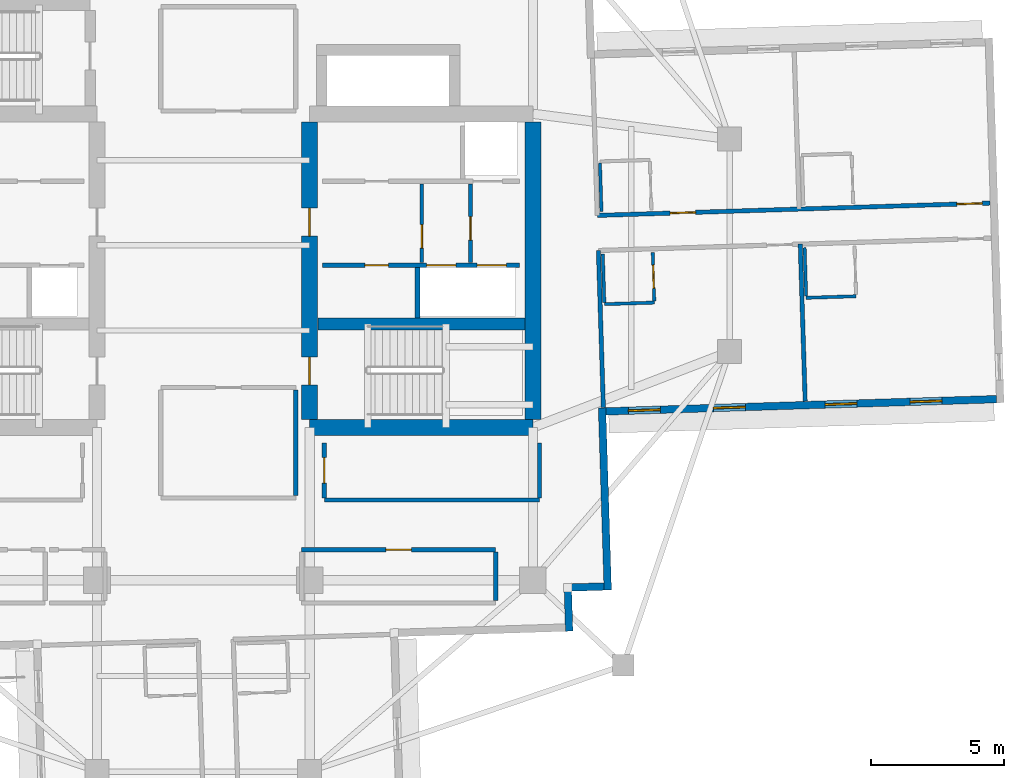
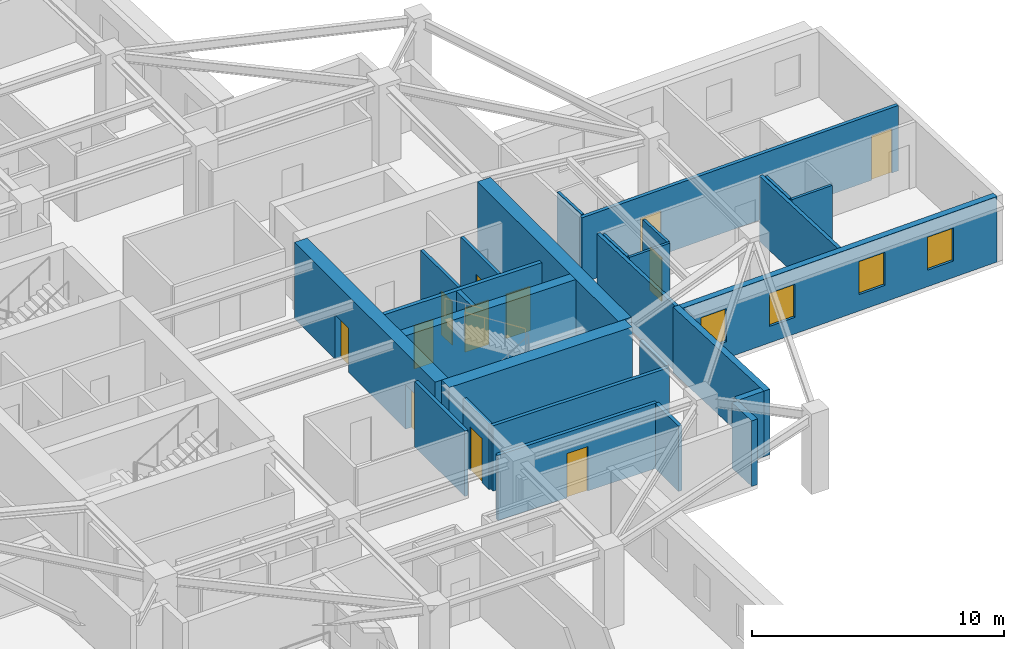
# One storey, part 5 of 12: 27 walls, 12 doors, 4 windows, 16 openings.
"""IFC4 building model written with IfcOpenShell, lengths in metres."""

from ifc_helpers import new_model, si_unit, direction, frame, frame_2d, origin, place, context, subcontext, project, spatial, rectangle, extrude, material, layer, layer_set, type_object, element, fill, save


model = new_model("IFC4")

# Units and contexts
model_context = context("Model", 3, precision=1e-05, world=origin(), true_north=direction((0.0, 1.0)))
body_context = subcontext(model_context, "Body", "Model", "MODEL_VIEW")
ifc_project = project(units=[si_unit("LENGTHUNIT", "METRE"), si_unit("AREAUNIT", "SQUARE_METRE"), si_unit("VOLUMEUNIT", "CUBIC_METRE"), si_unit("PLANEANGLEUNIT", "RADIAN"), si_unit("MASSUNIT", "GRAM", prefix="KILO")], contexts=[model_context])

# Site, building, storey
site_placement = place(None, origin())
site = spatial("IfcSite", under=ifc_project, at=site_placement, CompositionType="ELEMENT")
building_placement = place(site_placement, origin())
building = spatial("IfcBuilding", under=site, at=building_placement, Name="Qingluan Cross Belvedere", CompositionType="ELEMENT")
storey_placement = place(building_placement, frame((0.0, 0.0, 216.89990234375)))
storey = spatial("IfcBuildingStorey", under=building, at=storey_placement, Name="L54", CompositionType="ELEMENT", Elevation=216.89990234375)

# Walls
ifc_material_1 = material(Name="Concrete C50", Category="concrete")
ifc_layer_1 = layer(ifc_material_1, 0.449951171875, Name="CoreShearWall_450")
ifc_layer_set_1 = layer_set([ifc_layer_1], Name="Concrete C50")
wall_type_1 = type_object("IfcWallType", Name="CoreShearWall_450", PredefinedType="SHEAR", material=ifc_layer_set_1)
wall_1_placement = place(storey_placement, frame((4.304931640625, -2.9599609375, 0.0), z_axis=(0.0, 0.0, 1.0), x_axis=(1.0, 0.0, 0.0)))
element("IfcWall", 1, at=wall_1_placement, inside=storey, type_object=wall_type_1, Name="Split core E shear wall L54-M", PredefinedType="SHEAR", context=body_context, shape_type="SweptSolid", body=[
    extrude(rectangle(XDim=7.7900390625, YDim=0.449951171875, at=frame_2d((3.89501953125, 0.0))), origin(), (0.0, 0.0, 1.0), 3.7001953125),
])
ifc_material_2 = material(Name="Concrete C60", Category="concrete")
ifc_layer_2 = layer(ifc_material_2, 0.60009765625, Name="CoreShearWall_600")
ifc_layer_set_2 = layer_set([ifc_layer_2], Name="Concrete C60")
wall_type_2 = type_object("IfcWallType", Name="CoreShearWall_600", PredefinedType="SHEAR", material=ifc_layer_set_2)
wall_2_placement = place(storey_placement, frame((4.0, -6.85009765625, 0.0), z_axis=(0.0, 0.0, 1.0), x_axis=(1.0, 0.0, 0.0)))
element("IfcWall", 2, at=wall_2_placement, inside=storey, type_object=wall_type_2, Name="Split core E shear wall L54-S", PredefinedType="SHEAR", context=body_context, shape_type="SweptSolid", body=[
    extrude(rectangle(XDim=8.39990234375, YDim=0.60009765625, at=frame_2d((4.199951171875, 0.0))), origin(), (0.0, 0.0, 1.0), 3.7001953125),
])

# Wall, openings, doors
wall_3_placement = place(storey_placement, frame((4.0, -6.544921875, 0.0), z_axis=(0.0, 0.0, 1.0), x_axis=(0.0, 1.0, 0.0)))
wall_3 = element("IfcWall", 3, at=wall_3_placement, inside=storey, type_object=wall_type_2, Name="Split core E shear wall L54-W", PredefinedType="SHEAR", context=body_context, shape_type="SweptSolid", body=[
    extrude(rectangle(XDim=11.18994140625, YDim=0.60009765625, at=frame_2d((5.594970703125, 0.0))), origin(), (0.0, 0.0, 1.0), 3.7001953125),
])
opening_1_placement = place(wall_3_placement, frame((1.294921875, 0.0, 0.0)))
opening_1 = element("IfcOpeningElement", 4, at=opening_1_placement, cuts=wall_3, Name="Opening FD-B11", PredefinedType="OPENING", context=body_context, shape_type="SweptSolid", body=[
    extrude(rectangle(XDim=1.050048828125, YDim=2.14990234375, at=frame_2d((0.52490234375, 1.074951171875))), frame((0.0, 0.31005859375, 0.0), z_axis=(0.0, -1.0, 0.0), x_axis=(1.0, 0.0, 0.0)), (0.0, 0.0, 1.0), 0.6201171875),
])
opening_2_placement = place(wall_3_placement, frame((6.89501953125, 0.0, 0.0)))
opening_2 = element("IfcOpeningElement", 5, at=opening_2_placement, cuts=wall_3, Name="Opening FD-B11", PredefinedType="OPENING", context=body_context, shape_type="SweptSolid", body=[
    extrude(rectangle(XDim=1.050048828125, YDim=2.14990234375, at=frame_2d((0.52490234375, 1.074951171875))), frame((0.0, 0.31005859375, 0.0), z_axis=(0.0, -1.0, 0.0), x_axis=(1.0, 0.0, 0.0)), (0.0, 0.0, 1.0), 0.6201171875),
])
ifc_material_3 = material(Name="Steel Class B smoke-seal fire door", Category="steel")
door_type_1 = type_object("IfcDoorType", Name="StairLobbyFireDoor_FDB", OperationType="NOTDEFINED", PredefinedType="DOOR", material=ifc_material_3)
door_1_placement = place(opening_1_placement, origin())
door_1 = element("IfcDoor", 6, at=door_1_placement, inside=storey, type_object=door_type_1, Name="Smoke-proof stair ST2 fire door L54", OperationType="SINGLE_SWING_LEFT", OverallHeight=2.14990234375, OverallWidth=1.050048828125, PredefinedType="DOOR", context=body_context, shape_type="SweptSolid", body=[
    extrude(rectangle(XDim=1.050048828125, YDim=2.14990234375, at=frame_2d((0.52490234375, 1.074951171875))), frame((0.0, 0.02490234375, 0.0), z_axis=(0.0, -1.0, 0.0), x_axis=(1.0, 0.0, 0.0)), (0.0, 0.0, 1.0), 0.050048828125),
])
fill(opening_1, door_1)
door_2_placement = place(opening_2_placement, origin())
door_2 = element("IfcDoor", 7, at=door_2_placement, inside=storey, type_object=door_type_1, Name="Firefighting lobby East fire door L54", OperationType="SINGLE_SWING_LEFT", OverallHeight=2.14990234375, OverallWidth=1.050048828125, PredefinedType="DOOR", context=body_context, shape_type="SweptSolid", body=[
    extrude(rectangle(XDim=1.050048828125, YDim=2.14990234375, at=frame_2d((0.52490234375, 1.074951171875))), frame((0.0, 0.02490234375, 0.0), z_axis=(0.0, -1.0, 0.0), x_axis=(1.0, 0.0, 0.0)), (0.0, 0.0, 1.0), 0.050048828125),
])
fill(opening_2, door_2)

# Wall
wall_4_placement = place(storey_placement, frame((12.39990234375, -6.544921875, 0.0), z_axis=(0.0, 0.0, 1.0), x_axis=(0.0, 1.0, 0.0)))
element("IfcWall", 8, at=wall_4_placement, inside=storey, type_object=wall_type_2, Name="Split core E shear wall L54-E", PredefinedType="SHEAR", context=body_context, shape_type="SweptSolid", body=[
    extrude(rectangle(XDim=11.18994140625, YDim=0.60009765625, at=frame_2d((5.594970703125, 0.0))), origin(), (0.0, 0.0, 1.0), 3.7001953125),
])

# Wall, opening, door
ifc_material_4 = material(Name="Gypsum plasterboard on steel stud acoustic partition", Category="steel")
ifc_layer_3 = layer(ifc_material_4, 0.159912109375, Name="CorridorPartition_160")
ifc_layer_set_3 = layer_set([ifc_layer_3], Name="Gypsum plasterboard on steel stud acoustic partition")
wall_type_3 = type_object("IfcWallType", Name="CorridorPartition_160", PredefinedType="PARTITIONING", material=ifc_layer_set_3)
wall_5_placement = place(storey_placement, frame((10.050048828125, -0.652099609375, 0.0), z_axis=(0.0, 0.0, 1.0), x_axis=(0.0, 1.0, 0.0)))
wall_5 = element("IfcWall", 9, at=wall_5_placement, inside=storey, type_object=wall_type_3, Name="Partition L54:ev", PredefinedType="PARTITIONING", context=body_context, shape_type="SweptSolid", body=[
    extrude(rectangle(XDim=2.962158203125, YDim=0.139892578125, at=frame_2d((1.48095703125, 0.0))), origin(), (0.0, 0.0, 1.0), 3.170166015625),
])
opening_3_placement = place(wall_5_placement, frame((0.85009765625, 0.0, 0.0)))
opening_3 = element("IfcOpeningElement", 10, at=opening_3_placement, cuts=wall_5, Name="Opening FD-B10", PredefinedType="OPENING", context=body_context, shape_type="SweptSolid", body=[
    extrude(rectangle(XDim=0.8798828125, YDim=2.10009765625, at=frame_2d((0.43994140625, 1.050048828125))), frame((0.0, 0.079833984375, 0.0), z_axis=(0.0, -1.0, 0.0), x_axis=(1.0, 0.0, 0.0)), (0.0, 0.0, 1.0), 0.159912109375),
])
ifc_material_5 = material(Name="Steel Class B service fire door", Category="steel")
door_type_2 = type_object("IfcDoorType", Name="RiserServiceFireDoor_FDB", OperationType="NOTDEFINED", PredefinedType="DOOR", material=ifc_material_5)
door_3_placement = place(opening_3_placement, origin())
door_3 = element("IfcDoor", 11, at=door_3_placement, inside=storey, type_object=door_type_2, Name="Service closet inner door L54", OperationType="SINGLE_SWING_RIGHT", OverallHeight=2.10009765625, OverallWidth=0.8798828125, PredefinedType="DOOR", context=body_context, shape_type="SweptSolid", body=[
    extrude(rectangle(XDim=0.8798828125, YDim=2.10009765625, at=frame_2d((0.43994140625, 1.050048828125))), frame((0.0, 0.02490234375, 0.0), z_axis=(0.0, -1.0, 0.0), x_axis=(1.0, 0.0, 0.0)), (0.0, 0.0, 1.0), 0.050048828125),
])
fill(opening_3, door_3)

wall_6_placement = place(storey_placement, frame((3.699951171875, -11.449951171875, 0.0), z_axis=(0.0, 0.0, 1.0), x_axis=(1.0, 0.0, 0.0)))
wall_6 = element("IfcWall", 12, at=wall_6_placement, inside=storey, type_object=wall_type_3, Name="Partition L54:q_se:N", PredefinedType="PARTITIONING", context=body_context, shape_type="SweptSolid", body=[
    extrude(rectangle(XDim=7.300048828125, YDim=0.159912109375, at=frame_2d((3.64990234375, 0.0))), origin(), (0.0, 0.0, 1.0), 3.170166015625),
])
opening_4_placement = place(wall_6_placement, frame((3.169921875, 0.0, 0.0)))
opening_4 = element("IfcOpeningElement", 13, at=opening_4_placement, cuts=wall_6, Name="Opening GD-10", PredefinedType="OPENING", context=body_context, shape_type="SweptSolid", body=[
    extrude(rectangle(XDim=0.9599609375, YDim=2.14990234375, at=frame_2d((0.47998046875, 1.074951171875))), frame((0.0, 0.08984375, 0.0), z_axis=(0.0, -1.0, 0.0), x_axis=(1.0, 0.0, 0.0)), (0.0, 0.0, 1.0), 0.179931640625),
])
ifc_material_6 = material(Name="Timber oak fire-rated acoustic guestroom door", Category="wood")
door_type_3 = type_object("IfcDoorType", Name="GuestEntryDoor_FD60", OperationType="NOTDEFINED", PredefinedType="DOOR", material=ifc_material_6)
door_4_placement = place(opening_4_placement, origin())
door_4 = element("IfcDoor", 14, at=door_4_placement, inside=storey, type_object=door_type_3, Name="Private butler office L54 door", OperationType="SINGLE_SWING_RIGHT", OverallHeight=2.14990234375, OverallWidth=0.9599609375, PredefinedType="DOOR", context=body_context, shape_type="SweptSolid", body=[
    extrude(rectangle(XDim=0.9599609375, YDim=2.14990234375, at=frame_2d((0.47998046875, 1.074951171875))), frame((0.0, 0.02490234375, 0.0), z_axis=(0.0, -1.0, 0.0), x_axis=(1.0, 0.0, 0.0)), (0.0, 0.0, 1.0), 0.050048828125),
])
fill(opening_4, door_4)

# Walls
wall_7_placement = place(storey_placement, frame((11.0, -13.364990234375, 0.0), z_axis=(0.0, 0.0, 1.0), x_axis=(0.0, 1.0, 0.0)))
element("IfcWall", 15, at=wall_7_placement, inside=storey, type_object=wall_type_3, Name="Partition L54:q_se:E", PredefinedType="PARTITIONING", context=body_context, shape_type="SweptSolid", body=[
    extrude(rectangle(XDim=1.830078125, YDim=0.159912109375, at=frame_2d((0.9150390625, 0.0))), origin(), (0.0, 0.0, 1.0), 3.170166015625),
])
wall_8_placement = place(storey_placement, frame((3.47998046875, -9.4150390625, 0.0), z_axis=(0.0, 0.0, 1.0), x_axis=(0.0, 1.0, 0.0)))
element("IfcWall", 16, at=wall_8_placement, inside=storey, type_object=wall_type_3, Name="Partition L54:sky_south_alcove:E", PredefinedType="PARTITIONING", context=body_context, shape_type="SweptSolid", body=[
    extrude(rectangle(XDim=3.97998046875, YDim=0.159912109375, at=frame_2d((1.989990234375, 0.0))), origin(), (0.0, 0.0, 1.0), 3.170166015625),
])
wall_9_placement = place(storey_placement, frame((4.550048828125, -9.580078125, 0.0), z_axis=(0.0, 0.0, 1.0), x_axis=(1.0, 0.0, 0.0)))
element("IfcWall", 17, at=wall_9_placement, inside=storey, type_object=wall_type_3, Name="Partition L54:rec_st4:S", PredefinedType="PARTITIONING", context=body_context, shape_type="SweptSolid", body=[
    extrude(rectangle(XDim=8.099853515625, YDim=0.159912109375, at=frame_2d((4.0498046875, 0.0))), origin(), (0.0, 0.0, 1.0), 3.170166015625),
])

# Wall, opening, door
wall_10_placement = place(storey_placement, frame((4.550048828125, -9.4951171875, 0.0), z_axis=(0.0, 0.0, 1.0), x_axis=(0.0, 1.0, 0.0)))
wall_10 = element("IfcWall", 18, at=wall_10_placement, inside=storey, type_object=wall_type_3, Name="Partition L54:rec_st4:W", PredefinedType="PARTITIONING", context=body_context, shape_type="SweptSolid", body=[
    extrude(rectangle(XDim=2.06005859375, YDim=0.159912109375, at=frame_2d((1.030029296875, 0.0))), origin(), (0.0, 0.0, 1.0), 3.170166015625),
])
opening_5_placement = place(wall_10_placement, frame((0.550048828125, 0.0, 0.0)))
opening_5 = element("IfcOpeningElement", 19, at=opening_5_placement, cuts=wall_10, Name="Opening GD-10", PredefinedType="OPENING", context=body_context, shape_type="SweptSolid", body=[
    extrude(rectangle(XDim=0.9599609375, YDim=2.14990234375, at=frame_2d((0.47998046875, 1.074951171875))), frame((0.0, 0.08984375, 0.0), z_axis=(0.0, -1.0, 0.0), x_axis=(1.0, 0.0, 0.0)), (0.0, 0.0, 1.0), 0.179931640625),
])
door_5_placement = place(opening_5_placement, origin())
door_5 = element("IfcDoor", 20, at=door_5_placement, inside=storey, type_object=door_type_3, Name="Southeast club library room L54 door", OperationType="SINGLE_SWING_RIGHT", OverallHeight=2.14990234375, OverallWidth=0.9599609375, PredefinedType="DOOR", context=body_context, shape_type="SweptSolid", body=[
    extrude(rectangle(XDim=0.9599609375, YDim=2.14990234375, at=frame_2d((0.47998046875, 1.074951171875))), frame((0.0, 0.02490234375, 0.0), z_axis=(0.0, -1.0, 0.0), x_axis=(1.0, 0.0, 0.0)), (0.0, 0.0, 1.0), 0.050048828125),
])
fill(opening_5, door_5)

# Wall
wall_11_placement = place(storey_placement, frame((12.64990234375, -9.4951171875, 0.0), z_axis=(0.0, 0.0, 1.0), x_axis=(0.0, 1.0, 0.0)))
element("IfcWall", 21, at=wall_11_placement, inside=storey, type_object=wall_type_3, Name="Partition L54:rec_st4:E", PredefinedType="PARTITIONING", context=body_context, shape_type="SweptSolid", body=[
    extrude(rectangle(XDim=2.06005859375, YDim=0.159912109375, at=frame_2d((1.030029296875, 0.0))), origin(), (0.0, 0.0, 1.0), 3.170166015625),
])

# Wall, openings, doors
wall_12_placement = place(storey_placement, frame((14.822021484375, 1.126220703125, 0.0), z_axis=(0.0, 0.0, 1.0), x_axis=(0.9995069872, 0.031397174061, 0.0)))
wall_12 = element("IfcWall", 22, at=wall_12_placement, inside=storey, type_object=wall_type_3, Name="Partition L54:E:c0", PredefinedType="PARTITIONING", context=body_context, shape_type="SweptSolid", body=[
    extrude(rectangle(XDim=14.781982421875, YDim=0.159912109375, at=frame_2d((7.39111328125, 0.0))), origin(), (0.0, 0.0, 1.0), 3.170166015625),
])
opening_6_placement = place(wall_12_placement, frame((2.739990234375, 0.0, 0.0)))
opening_6 = element("IfcOpeningElement", 23, at=opening_6_placement, cuts=wall_12, Name="Opening GD-10", PredefinedType="OPENING", context=body_context, shape_type="SweptSolid", body=[
    extrude(rectangle(XDim=0.9599609375, YDim=2.14990234375, at=frame_2d((0.47998046875, 1.074951171875))), frame((0.0, 0.08984375, 0.0), z_axis=(0.0, -1.0, 0.0), x_axis=(1.0, 0.0, 0.0)), (0.0, 0.0, 1.0), 0.179931640625),
])
opening_7_placement = place(wall_12_placement, frame((13.530029296875, 0.0, 0.0)))
opening_7 = element("IfcOpeningElement", 24, at=opening_7_placement, cuts=wall_12, Name="Opening GD-10", PredefinedType="OPENING", context=body_context, shape_type="SweptSolid", body=[
    extrude(rectangle(XDim=0.9599609375, YDim=2.14990234375, at=frame_2d((0.47998046875, 1.074951171875))), frame((0.0, 0.08984375, 0.0), z_axis=(0.0, -1.0, 0.0), x_axis=(1.0, 0.0, 0.0)), (0.0, 0.0, 1.0), 0.179931640625),
])
door_6_placement = place(opening_6_placement, origin())
door_6 = element("IfcDoor", 25, at=door_6_placement, inside=storey, type_object=door_type_3, Name="Guest entry fire door 5401", OperationType="SINGLE_SWING_RIGHT", OverallHeight=2.14990234375, OverallWidth=0.9599609375, PredefinedType="DOOR", context=body_context, shape_type="SweptSolid", body=[
    extrude(rectangle(XDim=0.9599609375, YDim=2.14990234375, at=frame_2d((0.47998046875, 1.074951171875))), frame((0.0, 0.02490234375, 0.0), z_axis=(0.0, -1.0, 0.0), x_axis=(1.0, 0.0, 0.0)), (0.0, 0.0, 1.0), 0.050048828125),
])
fill(opening_6, door_6)
door_7_placement = place(opening_7_placement, origin())
door_7 = element("IfcDoor", 26, at=door_7_placement, inside=storey, type_object=door_type_3, Name="Guest entry fire door 5402", OperationType="SINGLE_SWING_RIGHT", OverallHeight=2.14990234375, OverallWidth=0.9599609375, PredefinedType="DOOR", context=body_context, shape_type="SweptSolid", body=[
    extrude(rectangle(XDim=0.9599609375, YDim=2.14990234375, at=frame_2d((0.47998046875, 1.074951171875))), frame((0.0, 0.02490234375, 0.0), z_axis=(0.0, -1.0, 0.0), x_axis=(1.0, 0.0, 0.0)), (0.0, 0.0, 1.0), 0.050048828125),
])
fill(opening_7, door_7)

# Walls
for number, where, z_axis, x_axis, name in (
    (27, (14.86328125, -0.193115234375, 0.0), (0.0, 0.0, 1.0), (0.031466809435, -0.999504797339, 0.0), "Partition L54:E:s1"),
    (28, (22.455810546875, 0.04541015625, 0.0), (0.0, 0.0, 1.0), (0.03138430084, -0.999507391499, 0.0), "Partition L54:E:d1_0"),
):
    element("IfcWall", number, at=place(storey_placement, frame(where, z_axis=z_axis, x_axis=x_axis)), inside=storey, type_object=wall_type_3, Name=name, PredefinedType="PARTITIONING", context=body_context, shape_type="SweptSolid", body=[
        extrude(rectangle(XDim=5.912109375, YDim=0.159912109375, at=frame_2d((2.9560546875, 0.0))), origin(), (0.0, 0.0, 1.0), 3.170166015625),
    ])
ifc_material_7 = material(Name="Moisture-resistant gypsum board lining")
ifc_layer_4 = layer(ifc_material_7, 0.1201171875, Name="EnsuiteWetPartition_120")
ifc_layer_set_4 = layer_set([ifc_layer_4], Name="Moisture-resistant gypsum board lining")
wall_type_4 = type_object("IfcWallType", Name="EnsuiteWetPartition_120", PredefinedType="PARTITIONING", material=ifc_layer_set_4)
wall_13_placement = place(storey_placement, frame((14.9775390625, 1.27099609375, 0.0), z_axis=(0.0, 0.0, 1.0), x_axis=(-0.031389704724, 0.999507221803, 0.0)))
element("IfcWall", 29, at=wall_13_placement, inside=storey, type_object=wall_type_4, Name="Partition L54:E:bw0_0", PredefinedType="PARTITIONING", context=body_context, shape_type="SweptSolid", body=[
    extrude(rectangle(XDim=1.820068359375, YDim=0.1201171875, at=frame_2d((0.91015625, 0.0))), origin(), (0.0, 0.0, 1.0), 3.170166015625),
])

# Wall, opening, door
wall_14_placement = place(storey_placement, frame((16.964111328125, -2.088134765625, 0.0), z_axis=(0.0, 0.0, 1.0), x_axis=(-0.03152371574, 0.999503004171, 0.0)))
wall_14 = element("IfcWall", 30, at=wall_14_placement, inside=storey, type_object=wall_type_4, Name="Partition L54:E:bs1_0", PredefinedType="PARTITIONING", context=body_context, shape_type="SweptSolid", body=[
    extrude(rectangle(XDim=1.820068359375, YDim=0.1201171875, at=frame_2d((0.91015625, 0.0))), origin(), (0.0, 0.0, 1.0), 3.170166015625),
])
opening_8_placement = place(wall_14_placement, frame((0.469970703125, 0.0, 0.0)))
opening_8 = element("IfcOpeningElement", 31, at=opening_8_placement, cuts=wall_14, Name="Opening BD-09", PredefinedType="OPENING", context=body_context, shape_type="SweptSolid", body=[
    extrude(rectangle(XDim=0.8798828125, YDim=2.10009765625, at=frame_2d((0.43994140625, 1.050048828125))), frame((0.0, 0.070068359375, 0.0), z_axis=(0.0, -1.0, 0.0), x_axis=(1.0, 0.0, 0.0)), (0.0, 0.0, 1.0), 0.14013671875),
])
ifc_material_8 = material(Name="Moisture-sealed timber en-suite door", Category="wood")
door_type_4 = type_object("IfcDoorType", Name="BathroomDoor_880", OperationType="NOTDEFINED", PredefinedType="DOOR", material=ifc_material_8)
door_8_placement = place(opening_8_placement, origin())
door_8 = element("IfcDoor", 32, at=door_8_placement, inside=storey, type_object=door_type_4, Name="Bathroom door 5403", OperationType="SINGLE_SWING_LEFT", OverallHeight=2.10009765625, OverallWidth=0.8798828125, PredefinedType="DOOR", context=body_context, shape_type="SweptSolid", body=[
    extrude(rectangle(XDim=0.8798828125, YDim=2.10009765625, at=frame_2d((0.43994140625, 1.050048828125))), frame((0.0, 0.02490234375, 0.0), z_axis=(0.0, -1.0, 0.0), x_axis=(1.0, 0.0, 0.0)), (0.0, 0.0, 1.0), 0.050048828125),
])
fill(opening_8, door_8)

# Walls
wall_15_placement = place(storey_placement, frame((15.0849609375, -2.147216796875, 0.0), z_axis=(0.0, 0.0, 1.0), x_axis=(-0.03152371574, 0.999503004171, 0.0)))
element("IfcWall", 33, at=wall_15_placement, inside=storey, type_object=wall_type_4, Name="Partition L54:E:bw1_0", PredefinedType="PARTITIONING", context=body_context, shape_type="SweptSolid", body=[
    extrude(rectangle(XDim=1.820068359375, YDim=0.1201171875, at=frame_2d((0.91015625, 0.0))), origin(), (0.0, 0.0, 1.0), 3.170166015625),
])
wall_16_placement = place(storey_placement, frame((15.0869140625, -2.212158203125, 0.0), z_axis=(0.0, 0.0, 1.0), x_axis=(0.999506103526, 0.031425292588, 0.0)))
element("IfcWall", 34, at=wall_16_placement, inside=storey, type_object=wall_type_4, Name="Partition L54:E:bc1_0", PredefinedType="PARTITIONING", context=body_context, shape_type="SweptSolid", body=[
    extrude(rectangle(XDim=1.880126953125, YDim=0.1201171875, at=frame_2d((0.93994140625, 0.0))), origin(), (0.0, 0.0, 1.0), 3.170166015625),
])
wall_17_placement = place(storey_placement, frame((22.677001953125, -1.90869140625, 0.0), z_axis=(0.0, 0.0, 1.0), x_axis=(-0.031255692016, 0.999511421504, 0.0)))
element("IfcWall", 35, at=wall_17_placement, inside=storey, type_object=wall_type_4, Name="Partition L54:E:bw1_1", PredefinedType="PARTITIONING", context=body_context, shape_type="SweptSolid", body=[
    extrude(rectangle(XDim=1.820068359375, YDim=0.1201171875, at=frame_2d((0.91015625, 0.0))), origin(), (0.0, 0.0, 1.0), 3.170166015625),
])
wall_18_placement = place(storey_placement, frame((22.67919921875, -1.9736328125, 0.0), z_axis=(0.0, 0.0, 1.0), x_axis=(0.999506103526, 0.031425292588, 0.0)))
element("IfcWall", 36, at=wall_18_placement, inside=storey, type_object=wall_type_4, Name="Partition L54:E:bc1_1", PredefinedType="PARTITIONING", context=body_context, shape_type="SweptSolid", body=[
    extrude(rectangle(XDim=1.880126953125, YDim=0.1201171875, at=frame_2d((0.93994140625, 0.0))), origin(), (0.0, 0.0, 1.0), 3.170166015625),
])

# Wall, openings, windows
ifc_material_9 = material(Name="Precast concrete C45", Category="concrete")
ifc_layer_5 = layer(ifc_material_9, 0.280029296875, Name="PrecastFacadeWall_280")
ifc_layer_set_5 = layer_set([ifc_layer_5], Name="Precast concrete C45")
wall_type_5 = type_object("IfcWallType", Name="PrecastFacadeWall_280", PredefinedType="STANDARD", material=ifc_layer_set_5)
wall_19_placement = place(storey_placement, frame((15.143798828125, -6.247314453125, 0.0), z_axis=(0.0, 0.0, 1.0), x_axis=(0.999506698073, 0.031406376864, 0.0)))
wall_19 = element("IfcWall", 37, at=wall_19_placement, inside=storey, type_object=wall_type_5, Name="Facade wall L54-EA", PredefinedType="STANDARD", context=body_context, shape_type="SweptSolid", body=[
    extrude(rectangle(XDim=14.699951171875, YDim=0.280029296875, at=frame_2d((7.35009765625, 0.0))), origin(), (0.0, 0.0, 1.0), 3.18017578125),
])
opening_9_placement = place(wall_19_placement, frame((0.85009765625, 0.0, 0.800048828125)))
opening_9 = element("IfcOpeningElement", 38, at=opening_9_placement, cuts=wall_19, Name="Opening W-02", PredefinedType="OPENING", context=body_context, shape_type="SweptSolid", body=[
    extrude(rectangle(XDim=1.199951171875, YDim=1.60009765625, at=frame_2d((0.60009765625, 0.800048828125))), frame((0.0, 0.14990234375, 0.0), z_axis=(0.0, -1.0, 0.0), x_axis=(1.0, 0.0, 0.0)), (0.0, 0.0, 1.0), 0.300048828125),
])
opening_10_placement = place(wall_19_placement, frame((4.050048828125, 0.0, 0.800048828125)))
opening_10 = element("IfcOpeningElement", 39, at=opening_10_placement, cuts=wall_19, Name="Opening W-02", PredefinedType="OPENING", context=body_context, shape_type="SweptSolid", body=[
    extrude(rectangle(XDim=1.199951171875, YDim=1.60009765625, at=frame_2d((0.60009765625, 0.800048828125))), frame((0.0, 0.14990234375, 0.0), z_axis=(0.0, -1.0, 0.0), x_axis=(1.0, 0.0, 0.0)), (0.0, 0.0, 1.0), 0.300048828125),
])
opening_11_placement = place(wall_19_placement, frame((8.25, 0.0, 0.800048828125)))
opening_11 = element("IfcOpeningElement", 40, at=opening_11_placement, cuts=wall_19, Name="Opening W-02", PredefinedType="OPENING", context=body_context, shape_type="SweptSolid", body=[
    extrude(rectangle(XDim=1.199951171875, YDim=1.60009765625, at=frame_2d((0.60009765625, 0.800048828125))), frame((0.0, 0.14990234375, 0.0), z_axis=(0.0, -1.0, 0.0), x_axis=(1.0, 0.0, 0.0)), (0.0, 0.0, 1.0), 0.300048828125),
])
opening_12_placement = place(wall_19_placement, frame((11.449951171875, 0.0, 0.800048828125)))
opening_12 = element("IfcOpeningElement", 41, at=opening_12_placement, cuts=wall_19, Name="Opening W-02", PredefinedType="OPENING", context=body_context, shape_type="SweptSolid", body=[
    extrude(rectangle(XDim=1.199951171875, YDim=1.60009765625, at=frame_2d((0.60009765625, 0.800048828125))), frame((0.0, 0.14990234375, 0.0), z_axis=(0.0, -1.0, 0.0), x_axis=(1.0, 0.0, 0.0)), (0.0, 0.0, 1.0), 0.300048828125),
])
ifc_material_10 = material(Name="Thermally broken triple Low-E glass in aluminium frame", Category="aluminium")
window_type = type_object("IfcWindowType", Name="TriRibbonWin_1200x1600", PartitioningType="SINGLE_PANEL", PredefinedType="WINDOW", material=ifc_material_10)
window_1_placement = place(opening_9_placement, origin())
window_1 = element("IfcWindow", 42, at=window_1_placement, inside=storey, type_object=window_type, Name="Ribbon window L54-EA-1", OverallHeight=1.60009765625, OverallWidth=1.199951171875, PartitioningType="SINGLE_PANEL", PredefinedType="WINDOW", context=body_context, shape_type="SweptSolid", body=[
    extrude(rectangle(XDim=1.199951171875, YDim=1.60009765625, at=frame_2d((0.60009765625, 0.800048828125))), frame((0.0, 0.030029296875, 0.0), z_axis=(0.0, -1.0, 0.0), x_axis=(1.0, 0.0, 0.0)), (0.0, 0.0, 1.0), 0.06005859375),
])
fill(opening_9, window_1)
window_2_placement = place(opening_10_placement, origin())
window_2 = element("IfcWindow", 43, at=window_2_placement, inside=storey, type_object=window_type, Name="Ribbon window L54-EA-2", OverallHeight=1.60009765625, OverallWidth=1.199951171875, PartitioningType="SINGLE_PANEL", PredefinedType="WINDOW", context=body_context, shape_type="SweptSolid", body=[
    extrude(rectangle(XDim=1.199951171875, YDim=1.60009765625, at=frame_2d((0.60009765625, 0.800048828125))), frame((0.0, 0.030029296875, 0.0), z_axis=(0.0, -1.0, 0.0), x_axis=(1.0, 0.0, 0.0)), (0.0, 0.0, 1.0), 0.06005859375),
])
fill(opening_10, window_2)
window_3_placement = place(opening_11_placement, origin())
window_3 = element("IfcWindow", 44, at=window_3_placement, inside=storey, type_object=window_type, Name="Ribbon window L54-EA-3", OverallHeight=1.60009765625, OverallWidth=1.199951171875, PartitioningType="SINGLE_PANEL", PredefinedType="WINDOW", context=body_context, shape_type="SweptSolid", body=[
    extrude(rectangle(XDim=1.199951171875, YDim=1.60009765625, at=frame_2d((0.60009765625, 0.800048828125))), frame((0.0, 0.030029296875, 0.0), z_axis=(0.0, -1.0, 0.0), x_axis=(1.0, 0.0, 0.0)), (0.0, 0.0, 1.0), 0.06005859375),
])
fill(opening_11, window_3)
window_4_placement = place(opening_12_placement, origin())
window_4 = element("IfcWindow", 45, at=window_4_placement, inside=storey, type_object=window_type, Name="Ribbon window L54-EA-4", OverallHeight=1.60009765625, OverallWidth=1.199951171875, PartitioningType="SINGLE_PANEL", PredefinedType="WINDOW", context=body_context, shape_type="SweptSolid", body=[
    extrude(rectangle(XDim=1.199951171875, YDim=1.60009765625, at=frame_2d((0.60009765625, 0.800048828125))), frame((0.0, 0.030029296875, 0.0), z_axis=(0.0, -1.0, 0.0), x_axis=(1.0, 0.0, 0.0)), (0.0, 0.0, 1.0), 0.06005859375),
])
fill(opening_12, window_4)

# Walls
wall_20_placement = place(storey_placement, frame((14.99951171875, -6.11181640625, 0.0), z_axis=(0.0, 0.0, 1.0), x_axis=(0.031389189386, -0.999507237988, 0.0)))
element("IfcWall", 46, at=wall_20_placement, inside=storey, type_object=wall_type_5, Name="Corner wall L54-SE1", PredefinedType="STANDARD", context=body_context, shape_type="SweptSolid", body=[
    extrude(rectangle(XDim=6.860107421875, YDim=0.280029296875, at=frame_2d((3.43017578125, 0.0))), origin(), (0.0, 0.0, 1.0), 3.18017578125),
])
wall_21_placement = place(storey_placement, frame((15.070556640625, -12.8330078125, 0.0), z_axis=(0.0, 0.0, 1.0), x_axis=(-0.999506398264, -0.031415916822, 0.0)))
element("IfcWall", 47, at=wall_21_placement, inside=storey, type_object=wall_type_5, Name="Corner wall L54-SE2", PredefinedType="STANDARD", context=body_context, shape_type="SweptSolid", body=[
    extrude(rectangle(XDim=1.219970703125, YDim=0.280029296875, at=frame_2d((0.60986328125, 0.0))), origin(), (0.0, 0.0, 1.0), 3.18017578125),
])
wall_22_placement = place(storey_placement, frame((13.715576171875, -13.015625, 0.0), z_axis=(0.0, 0.0, 1.0), x_axis=(0.031412596484, -0.999506502621, 0.0)))
element("IfcWall", 48, at=wall_22_placement, inside=storey, type_object=wall_type_5, Name="Corner wall L54-SE3", PredefinedType="STANDARD", context=body_context, shape_type="SweptSolid", body=[
    extrude(rectangle(XDim=1.5, YDim=0.280029296875, at=frame_2d((0.75, 0.0))), origin(), (0.0, 0.0, 1.0), 3.18017578125),
])

# Wall, openings, doors
ifc_material_11 = material(Name="Concrete C40", Category="concrete")
ifc_layer_6 = layer(ifc_material_11, 0.219970703125, Name="ShaftEnclosureWall_250")
ifc_layer_set_6 = layer_set([ifc_layer_6], Name="Concrete C40")
wall_type_6 = type_object("IfcWallType", Name="ShaftEnclosureWall_250", PredefinedType="SOLIDWALL", material=ifc_layer_set_6)
wall_23_placement = place(storey_placement, frame((4.47998046875, -0.75, 0.0), z_axis=(0.0, 0.0, 1.0), x_axis=(1.0, 0.0, 0.0)))
wall_23 = element("IfcWall", 49, at=wall_23_placement, inside=storey, type_object=wall_type_6, Name="Core-E mid hoistway wall L54", PredefinedType="SOLIDWALL", context=body_context, shape_type="SweptSolid", body=[
    extrude(rectangle(XDim=7.419921875, YDim=0.179931640625, at=frame_2d((3.7099609375, 0.0))), origin(), (0.0, 0.0, 1.0), 3.170166015625),
])
opening_13_placement = place(wall_23_placement, frame((3.919921875, 0.0, 0.0)))
opening_13 = element("IfcOpeningElement", 50, at=opening_13_placement, cuts=wall_23, Name="Opening LD-11", PredefinedType="OPENING", context=body_context, shape_type="SweptSolid", body=[
    extrude(rectangle(XDim=1.10009765625, YDim=2.14990234375, at=frame_2d((0.550048828125, 1.074951171875))), frame((0.0, 0.099853515625, 0.0), z_axis=(0.0, -1.0, 0.0), x_axis=(1.0, 0.0, 0.0)), (0.0, 0.0, 1.0), 0.199951171875),
])
opening_14_placement = place(wall_23_placement, frame((5.820068359375, 0.0, 0.0)))
opening_14 = element("IfcOpeningElement", 51, at=opening_14_placement, cuts=wall_23, Name="Opening LD-11", PredefinedType="OPENING", context=body_context, shape_type="SweptSolid", body=[
    extrude(rectangle(XDim=1.10009765625, YDim=2.14990234375, at=frame_2d((0.550048828125, 1.074951171875))), frame((0.0, 0.099853515625, 0.0), z_axis=(0.0, -1.0, 0.0), x_axis=(1.0, 0.0, 0.0)), (0.0, 0.0, 1.0), 0.199951171875),
])
opening_15_placement = place(wall_23_placement, frame((1.60009765625, 0.0, 0.0)))
opening_15 = element("IfcOpeningElement", 52, at=opening_15_placement, cuts=wall_23, Name="Opening FD-B10", PredefinedType="OPENING", context=body_context, shape_type="SweptSolid", body=[
    extrude(rectangle(XDim=0.8798828125, YDim=2.10009765625, at=frame_2d((0.43994140625, 1.050048828125))), frame((0.0, 0.099853515625, 0.0), z_axis=(0.0, -1.0, 0.0), x_axis=(1.0, 0.0, 0.0)), (0.0, 0.0, 1.0), 0.199951171875),
])
ifc_material_12 = material(Name="Brushed stainless steel centre-opening lift landing door", Category="steel")
door_type_5 = type_object("IfcDoorType", Name="LiftLandingSlidingDoor_1100", OperationType="DOUBLE_DOOR_SLIDING", PredefinedType="DOOR", material=ifc_material_12)
door_9_placement = place(opening_13_placement, origin())
door_9 = element("IfcDoor", 53, at=door_9_placement, inside=storey, type_object=door_type_5, Name="Lift landing sliding door LP9 L54", OperationType="DOUBLE_DOOR_SLIDING", OverallHeight=2.14990234375, OverallWidth=1.10009765625, PredefinedType="DOOR", context=body_context, shape_type="SweptSolid", body=[
    extrude(rectangle(XDim=1.10009765625, YDim=2.14990234375, at=frame_2d((0.550048828125, 1.074951171875))), frame((0.0, 0.02490234375, 0.0), z_axis=(0.0, -1.0, 0.0), x_axis=(1.0, 0.0, 0.0)), (0.0, 0.0, 1.0), 0.050048828125),
])
fill(opening_13, door_9)
door_10_placement = place(opening_14_placement, origin())
door_10 = element("IfcDoor", 54, at=door_10_placement, inside=storey, type_object=door_type_5, Name="Lift landing sliding door LP10 L54", OperationType="DOUBLE_DOOR_SLIDING", OverallHeight=2.14990234375, OverallWidth=1.10009765625, PredefinedType="DOOR", context=body_context, shape_type="SweptSolid", body=[
    extrude(rectangle(XDim=1.10009765625, YDim=2.14990234375, at=frame_2d((0.550048828125, 1.074951171875))), frame((0.0, 0.02490234375, 0.0), z_axis=(0.0, -1.0, 0.0), x_axis=(1.0, 0.0, 0.0)), (0.0, 0.0, 1.0), 0.050048828125),
])
fill(opening_14, door_10)
door_11_placement = place(opening_15_placement, origin())
door_11 = element("IfcDoor", 55, at=door_11_placement, inside=storey, type_object=door_type_2, Name="Upper-zone linen store door L54", OperationType="SINGLE_SWING_RIGHT", OverallHeight=2.10009765625, OverallWidth=0.8798828125, PredefinedType="DOOR", context=body_context, shape_type="SweptSolid", body=[
    extrude(rectangle(XDim=0.8798828125, YDim=2.10009765625, at=frame_2d((0.43994140625, 1.050048828125))), frame((0.0, 0.02490234375, 0.0), z_axis=(0.0, -1.0, 0.0), x_axis=(1.0, 0.0, 0.0)), (0.0, 0.0, 1.0), 0.050048828125),
])
fill(opening_15, door_11)

# Wall
wall_24_placement = place(storey_placement, frame((8.06005859375, -2.72998046875, 0.0), z_axis=(0.0, 0.0, 1.0), x_axis=(0.0, 1.0, 0.0)))
element("IfcWall", 56, at=wall_24_placement, inside=storey, type_object=wall_type_6, Name="Hoistway enclosure divider LP9W L54", PredefinedType="SOLIDWALL", context=body_context, shape_type="SweptSolid", body=[
    extrude(rectangle(XDim=1.889892578125, YDim=0.179931640625, at=frame_2d((0.94482421875, 0.0))), origin(), (0.0, 0.0, 1.0), 3.170166015625),
])

# Wall, opening, door
wall_25_placement = place(storey_placement, frame((8.219970703125, -0.64990234375, 0.0), z_axis=(0.0, 0.0, 1.0), x_axis=(0.0, 1.0, 0.0)))
wall_25 = element("IfcWall", 57, at=wall_25_placement, inside=storey, type_object=wall_type_6, Name="Core-E service corridor wall L54", PredefinedType="SOLIDWALL", context=body_context, shape_type="SweptSolid", body=[
    extrude(rectangle(XDim=2.9599609375, YDim=0.139892578125, at=frame_2d((1.47998046875, 0.0))), origin(), (0.0, 0.0, 1.0), 3.170166015625),
])
opening_16_placement = place(wall_25_placement, frame((0.550048828125, 0.0, 0.0)))
opening_16 = element("IfcOpeningElement", 58, at=opening_16_placement, cuts=wall_25, Name="Opening FD-B10", PredefinedType="OPENING", context=body_context, shape_type="SweptSolid", body=[
    extrude(rectangle(XDim=0.8798828125, YDim=2.10009765625, at=frame_2d((0.43994140625, 1.050048828125))), frame((0.0, 0.079833984375, 0.0), z_axis=(0.0, -1.0, 0.0), x_axis=(1.0, 0.0, 0.0)), (0.0, 0.0, 1.0), 0.159912109375),
])
door_12_placement = place(opening_16_placement, origin())
door_12 = element("IfcDoor", 59, at=door_12_placement, inside=storey, type_object=door_type_2, Name="Core-E service room door L54", OperationType="SINGLE_SWING_RIGHT", OverallHeight=2.10009765625, OverallWidth=0.8798828125, PredefinedType="DOOR", context=body_context, shape_type="SweptSolid", body=[
    extrude(rectangle(XDim=0.8798828125, YDim=2.10009765625, at=frame_2d((0.43994140625, 1.050048828125))), frame((0.0, 0.02490234375, 0.0), z_axis=(0.0, -1.0, 0.0), x_axis=(1.0, 0.0, 0.0)), (0.0, 0.0, 1.0), 0.050048828125),
])
fill(opening_16, door_12)

save(model, "model.ifc")
